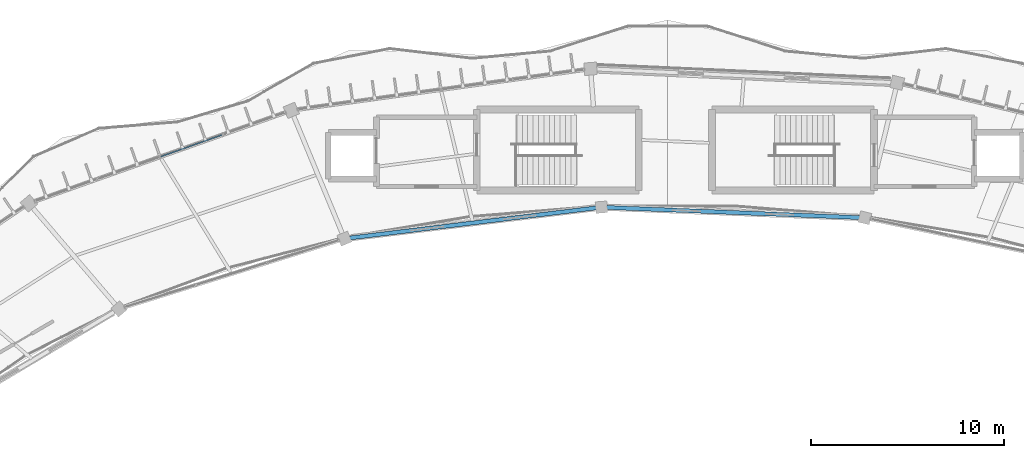
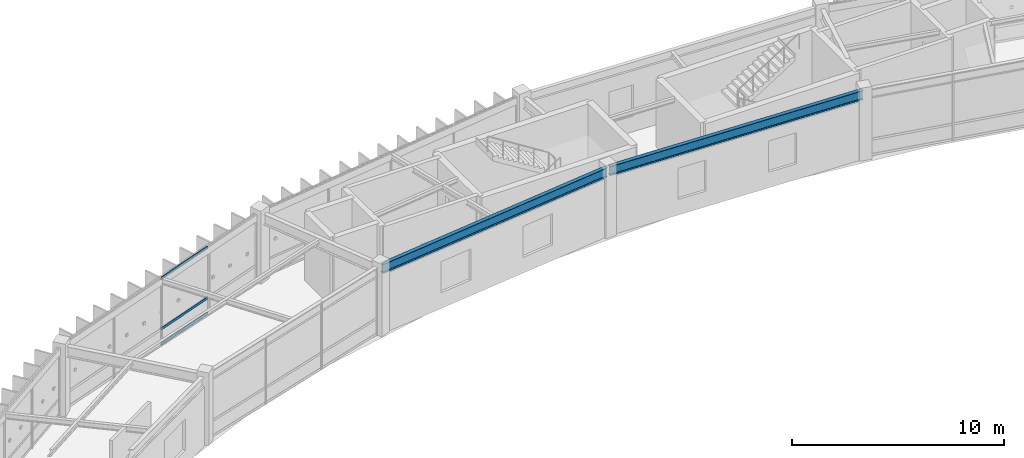
# One storey, part 58 of 114: 3 members, 2 beams, 1 element without a shape of its own.
"""IFC4 building model written with IfcOpenShell, lengths in metres."""

from ifc_helpers import new_model, si_unit, direction, frame, origin, origin_2d, place, context, subcontext, project, spatial, hollow_rectangle, i_section, extrude, material, material_profile, profile_set, type_object, element, aggregate, save


model = new_model("IFC4")

# Units and contexts
model_context = context("Model", 3, precision=1e-05, world=origin(), true_north=direction((0.0, 1.0)))
body_context = subcontext(model_context, "Body", "Model", "MODEL_VIEW")
ifc_project = project(units=[si_unit("LENGTHUNIT", "METRE"), si_unit("AREAUNIT", "SQUARE_METRE"), si_unit("VOLUMEUNIT", "CUBIC_METRE"), si_unit("PLANEANGLEUNIT", "RADIAN"), si_unit("MASSUNIT", "GRAM", prefix="KILO"), si_unit("THERMODYNAMICTEMPERATUREUNIT", "KELVIN"), si_unit("POWERUNIT", "WATT")], contexts=[model_context])

# Site, building, storey
site_placement = place(None, origin())
site = spatial("IfcSite", under=ifc_project, at=site_placement, CompositionType="ELEMENT")
building_placement = place(site_placement, origin())
building = spatial("IfcBuilding", under=site, at=building_placement, Name="Darbajah Civic Hall", CompositionType="ELEMENT")
storey_placement = place(building_placement, frame((0.0, 0.0, 13.800048828125)))
storey = spatial("IfcBuildingStorey", under=building, at=storey_placement, Name="L03", CompositionType="ELEMENT", Elevation=13.800048828125)

# Curtain wall, members
ifc_material_1 = material(Name="Anodised Bronze Aluminium and Low-E Glazing", Category="aluminium")
curtain_wall_type = type_object("IfcCurtainWallType", Name="Unitised Curtain Wall CW-57 13800x3900", PredefinedType="USERDEFINED", material=ifc_material_1)
curtain_wall_placement = place(storey_placement, origin())
curtain_wall = element("IfcCurtainWall", 1, at=curtain_wall_placement, inside=storey, type_object=curtain_wall_type, Name="L03 unitised curtain wall CW-V1O-L03-06", ObjectType="UNITISED CURTAIN WALL", PredefinedType="USERDEFINED")
ifc_material_2 = material(Name="Anodised Bronze Aluminium", Category="aluminium")
ifc_material_profile_1 = material_profile(ifc_material_2, hollow_rectangle(XDim=0.06494140625, YDim=0.139892578125, WallThickness=0.00341796875, at=origin_2d()), Name="ALU TRANSOM 65x140")
ifc_profile_set_1 = profile_set([ifc_material_profile_1], Name="Anodised Bronze Aluminium")
member_type = type_object("IfcMemberType", Name="ALU TRANSOM 65x140", PredefinedType="USERDEFINED", material=ifc_profile_set_1)
member_1_placement = place(storey_placement, frame((65.992431640625, 115.78173828125, 0.070068359375), z_axis=(-0.942537428341, -0.334100577935, 0.0), x_axis=(0.334100577935, -0.942537428341, 0.0)))
member_1 = element("IfcMember", 2, at=member_1_placement, type_object=member_type, Name="CW-V1O-L03-06 transom 2.1", ObjectType="TRANSOM", PredefinedType="USERDEFINED", context=body_context, shape_type="SweptSolid", body=[
    extrude(hollow_rectangle(XDim=0.06494140625, YDim=0.139892578125, WallThickness=0.00341796875, at=origin_2d()), origin(), (0.0, 0.0, 1.0), 3.3701171875),
])
member_2_placement = place(storey_placement, frame((65.992431640625, 115.78173828125, 0.949951171875), z_axis=(-0.942537428341, -0.334100577935, 0.0), x_axis=(0.334100577935, -0.942537428341, 0.0)))
member_2 = element("IfcMember", 3, at=member_2_placement, type_object=member_type, Name="CW-V1O-L03-06 transom 2.2", ObjectType="TRANSOM", PredefinedType="USERDEFINED", context=body_context, shape_type="SweptSolid", body=[
    extrude(hollow_rectangle(XDim=0.06494140625, YDim=0.139892578125, WallThickness=0.00341796875, at=origin_2d()), origin(), (0.0, 0.0, 1.0), 3.3701171875),
])
member_3_placement = place(storey_placement, frame((65.992431640625, 115.78173828125, 3.849853515625), z_axis=(-0.942537428341, -0.334100577935, 0.0), x_axis=(0.334100577935, -0.942537428341, 0.0)))
member_3 = element("IfcMember", 4, at=member_3_placement, type_object=member_type, Name="CW-V1O-L03-06 transom 2.3", ObjectType="TRANSOM", PredefinedType="USERDEFINED", context=body_context, shape_type="SweptSolid", body=[
    extrude(hollow_rectangle(XDim=0.06494140625, YDim=0.139892578125, WallThickness=0.00341796875, at=origin_2d()), origin(), (0.0, 0.0, 1.0), 3.3701171875),
])
aggregate(curtain_wall, [member_1, member_2, member_3])

# Beams
ifc_material_3 = material(Name="Steel S355JR", Category="steel")
ifc_material_profile_2 = material_profile(ifc_material_3, i_section(OverallWidth=0.209228515625, OverallDepth=0.533203125, WebThickness=0.010009765625, FlangeThickness=0.015625, FilletRadius=0.0126953125, at=origin_2d()), Name="UB 533x210x92")
ifc_profile_set_2 = profile_set([ifc_material_profile_2], Name="Steel S355JR")
beam_type = type_object("IfcBeamType", Name="UB 533x210x92", PredefinedType="BEAM", material=ifc_profile_set_2)
beam_1_placement = place(storey_placement, frame((99.2451171875, 111.487060546875, 3.653564453125), z_axis=(-0.999198156642, 0.040038028952, 0.0), x_axis=(-0.040038028952, -0.999198156642, 0.0)))
element("IfcBeam", 5, at=beam_1_placement, inside=storey, type_object=beam_type, Name="L03 beam SB-533", PredefinedType="BEAM", context=body_context, shape_type="SweptSolid", body=[
    extrude(i_section(OverallWidth=0.209228515625, OverallDepth=0.533203125, WebThickness=0.010009765625, FlangeThickness=0.015625, FilletRadius=0.0126953125, at=origin_2d()), origin(), (0.0, 0.0, 1.0), 13.512451171875),
])
beam_2_placement = place(storey_placement, frame((85.583984375, 112.021484375, 3.653564453125), z_axis=(-0.992611744559, -0.121333938216, 0.0), x_axis=(0.121333938216, -0.992611744559, 0.0)))
element("IfcBeam", 6, at=beam_2_placement, inside=storey, type_object=beam_type, Name="L03 beam SB-533", PredefinedType="BEAM", context=body_context, shape_type="SweptSolid", body=[
    extrude(i_section(OverallWidth=0.209228515625, OverallDepth=0.533203125, WebThickness=0.010009765625, FlangeThickness=0.015625, FilletRadius=0.0126953125, at=origin_2d()), origin(), (0.0, 0.0, 1.0), 13.263916015625),
])

save(model, "model.ifc")
